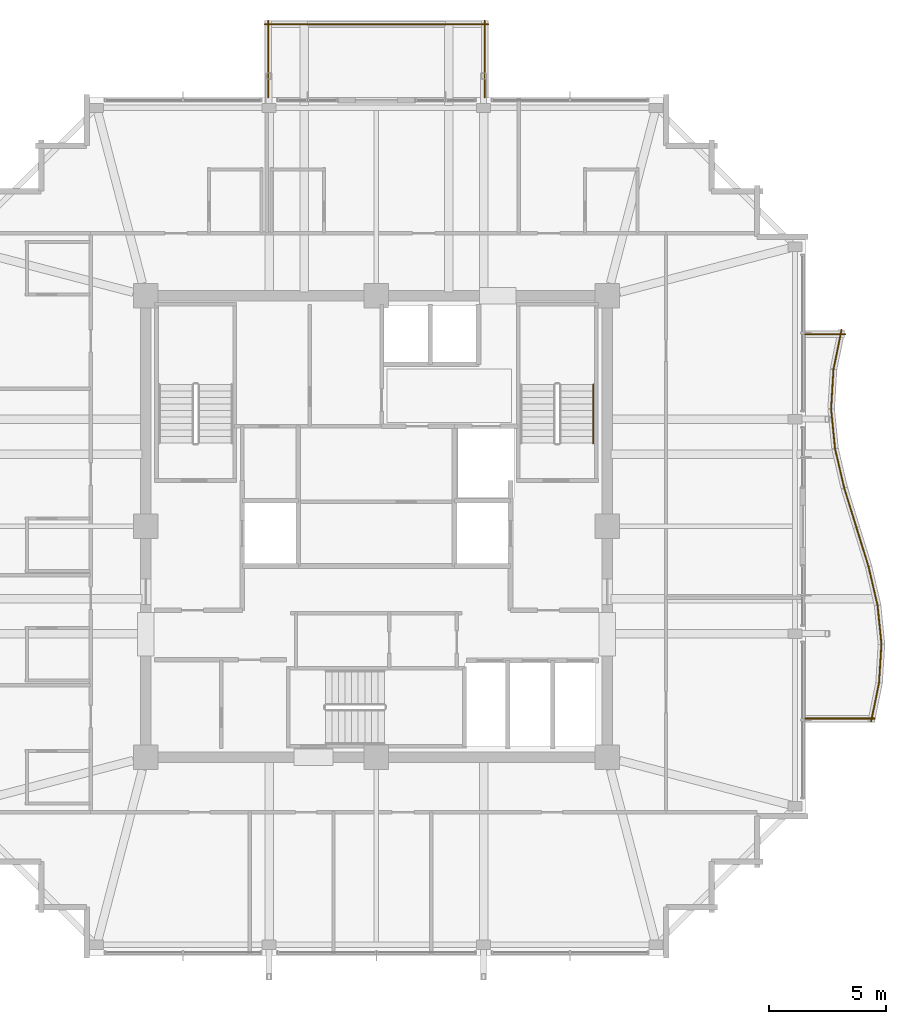
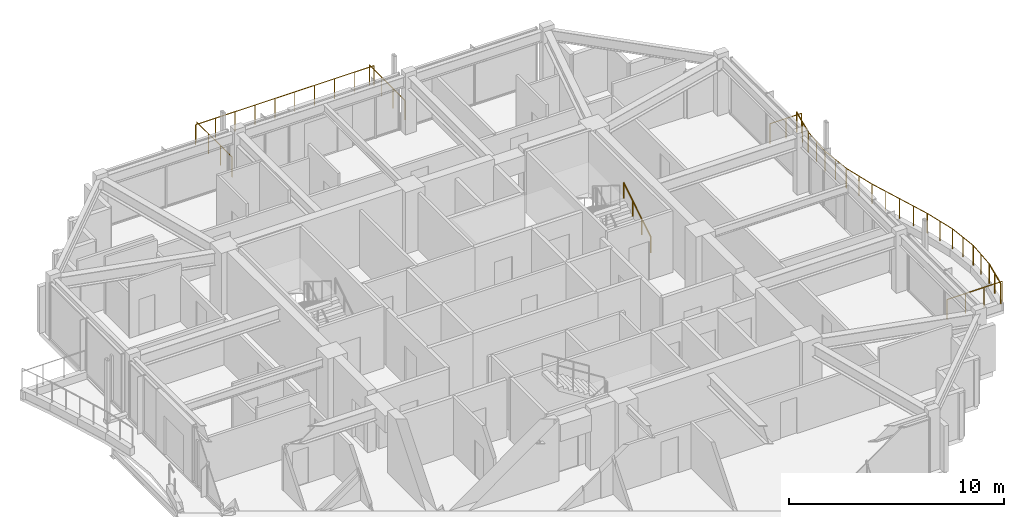
# One storey, part 31 of 31: 16 railings.
"""IFC4 building model written with IfcOpenShell, lengths in metres."""

from ifc_helpers import new_model, si_unit, direction, frame, origin, origin_2d, place, context, subcontext, project, spatial, circle, extrude, material, type_object, element, save


model = new_model("IFC4")

# Units and contexts
model_context = context("Model", 3, precision=1e-05, world=origin(), true_north=direction((0.0, 1.0)))
body_context = subcontext(model_context, "Body", "Model", "MODEL_VIEW")
ifc_project = project(units=[si_unit("LENGTHUNIT", "METRE"), si_unit("AREAUNIT", "SQUARE_METRE"), si_unit("VOLUMEUNIT", "CUBIC_METRE"), si_unit("PLANEANGLEUNIT", "RADIAN"), si_unit("MASSUNIT", "GRAM", prefix="KILO")], contexts=[model_context])

# Site, building, storey
site_placement = place(None, origin())
site = spatial("IfcSite", under=ifc_project, at=site_placement, CompositionType="ELEMENT")
building_placement = place(site_placement, origin())
building = spatial("IfcBuilding", under=site, at=building_placement, Name="Kolvaren Belvedere", CompositionType="ELEMENT")
storey_placement = place(building_placement, frame((0.0, 0.0, 251.39990234375)))
storey = spatial("IfcBuildingStorey", under=building, at=storey_placement, Name="L73", CompositionType="ELEMENT", Elevation=251.39990234375)

# Railings
ifc_material_1 = material(Name="Anodised pale-metal aluminium & laminated glass guard", Category="aluminium")
railing_type_1 = type_object("IfcRailingType", Name="RL-GUARD-1150", PredefinedType="GUARDRAIL", material=ifc_material_1)
railing_1_placement = place(storey_placement, frame((4.639892578125, 18.39990234375, 0.35009765625)))
element("IfcRailing", 1, at=railing_1_placement, inside=storey, type_object=railing_type_1, Name="L73 Exterior Deck Safety Guard SPIRAL-12-N-2", PredefinedType="GUARDRAIL", context=body_context, shape_type="SweptSolid", body=[
    extrude(circle(Radius=0.02392578125, at=origin_2d()), frame((0.0, 0.0, 1.1259765625), z_axis=(0.0, 1.0, 0.0), x_axis=(-1.0, 0.0, 0.0)), (0.0, 0.0, 1.0), 3.300048828125),
    extrude(circle(Radius=0.02099609375, at=origin_2d()), origin(), (0.0, 0.0, 1.0), 1.101806640625),
    extrude(circle(Radius=0.02099609375, at=origin_2d()), frame((0.0, 1.10009765625, 0.0)), (0.0, 0.0, 1.0), 1.101806640625),
    extrude(circle(Radius=0.02099609375, at=origin_2d()), frame((0.0, 2.199951171875, 0.0)), (0.0, 0.0, 1.0), 1.101806640625),
    extrude(circle(Radius=0.02099609375, at=origin_2d()), frame((0.0, 3.300048828125, 0.0)), (0.0, 0.0, 1.0), 1.101806640625),
])
railing_2_placement = place(storey_placement, frame((4.800048828125, 21.5400390625, 0.35009765625)))
element("IfcRailing", 2, at=railing_2_placement, inside=storey, type_object=railing_type_1, Name="L73 Exterior Deck Safety Guard SPIRAL-12-N-3", PredefinedType="GUARDRAIL", context=body_context, shape_type="SweptSolid", body=[
    extrude(circle(Radius=0.02392578125, at=origin_2d()), frame((0.0, 0.0, 1.1259765625), z_axis=(-1.0, 0.0, 0.0), x_axis=(0.0, -1.0, 0.0)), (0.0, 0.0, 1.0), 9.60009765625),
    extrude(circle(Radius=0.02099609375, at=origin_2d()), origin(), (0.0, 0.0, 1.0), 1.101806640625),
    extrude(circle(Radius=0.02099609375, at=origin_2d()), frame((-1.066650390625, 0.0, 0.0)), (0.0, 0.0, 1.0), 1.101806640625),
    extrude(circle(Radius=0.02099609375, at=origin_2d()), frame((-2.13330078125, 0.0, 0.0)), (0.0, 0.0, 1.0), 1.101806640625),
    extrude(circle(Radius=0.02099609375, at=origin_2d()), frame((-3.199951171875, 0.0, 0.0)), (0.0, 0.0, 1.0), 1.101806640625),
    extrude(circle(Radius=0.02099609375, at=origin_2d()), frame((-4.2666015625, 0.0, 0.0)), (0.0, 0.0, 1.0), 1.101806640625),
    extrude(circle(Radius=0.02099609375, at=origin_2d()), frame((-5.33349609375, 0.0, 0.0)), (0.0, 0.0, 1.0), 1.101806640625),
    extrude(circle(Radius=0.02099609375, at=origin_2d()), frame((-6.400146484375, 0.0, 0.0)), (0.0, 0.0, 1.0), 1.101806640625),
    extrude(circle(Radius=0.02099609375, at=origin_2d()), frame((-7.466796875, 0.0, 0.0)), (0.0, 0.0, 1.0), 1.101806640625),
    extrude(circle(Radius=0.02099609375, at=origin_2d()), frame((-8.533447265625, 0.0, 0.0)), (0.0, 0.0, 1.0), 1.101806640625),
    extrude(circle(Radius=0.02099609375, at=origin_2d()), frame((-9.60009765625, 0.0, 0.0)), (0.0, 0.0, 1.0), 1.101806640625),
])
railing_3_placement = place(storey_placement, frame((-4.639892578125, 21.699951171875, 0.35009765625)))
element("IfcRailing", 3, at=railing_3_placement, inside=storey, type_object=railing_type_1, Name="L73 Exterior Deck Safety Guard SPIRAL-12-N-4", PredefinedType="GUARDRAIL", context=body_context, shape_type="SweptSolid", body=[
    extrude(circle(Radius=0.02392578125, at=origin_2d()), frame((0.0, 0.0, 1.1259765625), z_axis=(0.0, -1.0, 0.0), x_axis=(1.0, 0.0, 0.0)), (0.0, 0.0, 1.0), 3.300048828125),
    extrude(circle(Radius=0.02099609375, at=origin_2d()), origin(), (0.0, 0.0, 1.0), 1.101806640625),
    extrude(circle(Radius=0.02099609375, at=origin_2d()), frame((0.0, -1.10009765625, 0.0)), (0.0, 0.0, 1.0), 1.101806640625),
    extrude(circle(Radius=0.02099609375, at=origin_2d()), frame((0.0, -2.199951171875, 0.0)), (0.0, 0.0, 1.0), 1.101806640625),
    extrude(circle(Radius=0.02099609375, at=origin_2d()), frame((0.0, -3.300048828125, 0.0)), (0.0, 0.0, 1.0), 1.101806640625),
])
railing_4_placement = place(storey_placement, frame((21.218017578125, -8.367919921875, 0.35009765625)))
element("IfcRailing", 4, at=railing_4_placement, inside=storey, type_object=railing_type_1, Name="L73 Exterior Deck Safety Guard BAL-E-1", PredefinedType="GUARDRAIL", context=body_context, shape_type="SweptSolid", body=[
    extrude(circle(Radius=0.02392578125, at=origin_2d()), frame((0.0, 0.0, 1.1259765625), z_axis=(0.199647526069, 0.979867779516, 0.0), x_axis=(-0.979867779516, 0.199647526069, 0.0)), (0.0, 0.0, 1.0), 1.71435546875),
    extrude(circle(Radius=0.02099609375, at=origin_2d()), origin(), (0.0, 0.0, 1.0), 1.101806640625),
    extrude(circle(Radius=0.02099609375, at=origin_2d()), frame((0.171142578125, 0.83984375, 0.0)), (0.0, 0.0, 1.0), 1.101806640625),
    extrude(circle(Radius=0.02099609375, at=origin_2d()), frame((0.34228515625, 1.679931640625, 0.0)), (0.0, 0.0, 1.0), 1.101806640625),
])
railing_5_placement = place(storey_placement, frame((21.5576171875, -6.710205078125, 0.35009765625)))
element("IfcRailing", 5, at=railing_5_placement, inside=storey, type_object=railing_type_1, Name="L73 Exterior Deck Safety Guard BAL-E-2", PredefinedType="GUARDRAIL", context=body_context, shape_type="SweptSolid", body=[
    extrude(circle(Radius=0.02392578125, at=origin_2d()), frame((0.0, 0.0, 1.1259765625), z_axis=(0.061068773295, 0.998133560666, 0.0), x_axis=(-0.998133560666, 0.061068773295, 0.0)), (0.0, 0.0, 1.0), 1.68310546875),
    extrude(circle(Radius=0.02099609375, at=origin_2d()), origin(), (0.0, 0.0, 1.0), 1.101806640625),
    extrude(circle(Radius=0.02099609375, at=origin_2d()), frame((0.05126953125, 0.83984375, 0.0)), (0.0, 0.0, 1.0), 1.101806640625),
    extrude(circle(Radius=0.02099609375, at=origin_2d()), frame((0.102783203125, 1.679931640625, 0.0)), (0.0, 0.0, 1.0), 1.101806640625),
])
railing_6_placement = place(storey_placement, frame((21.660888671875, -5.055908203125, 0.35009765625)))
element("IfcRailing", 6, at=railing_6_placement, inside=storey, type_object=railing_type_1, Name="L73 Exterior Deck Safety Guard BAL-E-3", PredefinedType="GUARDRAIL", context=body_context, shape_type="SweptSolid", body=[
    extrude(circle(Radius=0.02392578125, at=origin_2d()), frame((0.0, 0.0, 1.1259765625), z_axis=(-0.099632573776, 0.995024296308, 0.0), x_axis=(-0.995024296308, -0.099632573776, 0.0)), (0.0, 0.0, 1.0), 1.688232421875),
    extrude(circle(Radius=0.02099609375, at=origin_2d()), origin(), (0.0, 0.0, 1.0), 1.101806640625),
    extrude(circle(Radius=0.02099609375, at=origin_2d()), frame((-0.083984375, 0.83984375, 0.0)), (0.0, 0.0, 1.0), 1.101806640625),
    extrude(circle(Radius=0.02099609375, at=origin_2d()), frame((-0.168212890625, 1.679931640625, 0.0)), (0.0, 0.0, 1.0), 1.101806640625),
])
railing_7_placement = place(storey_placement, frame((21.49609375, -3.396240234375, 0.35009765625)))
element("IfcRailing", 7, at=railing_7_placement, inside=storey, type_object=railing_type_1, Name="L73 Exterior Deck Safety Guard BAL-E-4", PredefinedType="GUARDRAIL", context=body_context, shape_type="SweptSolid", body=[
    extrude(circle(Radius=0.02392578125, at=origin_2d()), frame((0.0, 0.0, 1.1259765625), z_axis=(-0.227019323824, 0.973890253884, 0.0), x_axis=(-0.973890253884, -0.227019323824, 0.0)), (0.0, 0.0, 1.0), 1.724853515625),
    extrude(circle(Radius=0.02099609375, at=origin_2d()), origin(), (0.0, 0.0, 1.0), 1.101806640625),
    extrude(circle(Radius=0.02099609375, at=origin_2d()), frame((-0.19580078125, 0.83984375, 0.0)), (0.0, 0.0, 1.0), 1.101806640625),
    extrude(circle(Radius=0.02099609375, at=origin_2d()), frame((-0.3916015625, 1.679931640625, 0.0)), (0.0, 0.0, 1.0), 1.101806640625),
])
railing_8_placement = place(storey_placement, frame((21.107421875, -1.727294921875, 0.35009765625)))
element("IfcRailing", 8, at=railing_8_placement, inside=storey, type_object=railing_type_1, Name="L73 Exterior Deck Safety Guard BAL-E-5", PredefinedType="GUARDRAIL", context=body_context, shape_type="SweptSolid", body=[
    extrude(circle(Radius=0.02392578125, at=origin_2d()), frame((0.0, 0.0, 1.1259765625), z_axis=(-0.295831524561, 0.95524013163, 0.0), x_axis=(-0.95524013163, -0.295831524561, 0.0)), (0.0, 0.0, 1.0), 1.758544921875),
    extrude(circle(Radius=0.02099609375, at=origin_2d()), origin(), (0.0, 0.0, 1.0), 1.101806640625),
    extrude(circle(Radius=0.02099609375, at=origin_2d()), frame((-0.26025390625, 0.83984375, 0.0)), (0.0, 0.0, 1.0), 1.101806640625),
    extrude(circle(Radius=0.02099609375, at=origin_2d()), frame((-0.520263671875, 1.679931640625, 0.0)), (0.0, 0.0, 1.0), 1.101806640625),
])
railing_9_placement = place(storey_placement, frame((20.587158203125, -0.04736328125, 0.35009765625)))
element("IfcRailing", 9, at=railing_9_placement, inside=storey, type_object=railing_type_1, Name="L73 Exterior Deck Safety Guard BAL-E-6", PredefinedType="GUARDRAIL", context=body_context, shape_type="SweptSolid", body=[
    extrude(circle(Radius=0.02392578125, at=origin_2d()), frame((0.0, 0.0, 1.1259765625), z_axis=(-0.29579229954, 0.955252278476, 0.0), x_axis=(-0.955252278476, -0.29579229954, 0.0)), (0.0, 0.0, 1.0), 1.7587890625),
    extrude(circle(Radius=0.02099609375, at=origin_2d()), origin(), (0.0, 0.0, 1.0), 1.101806640625),
    extrude(circle(Radius=0.02099609375, at=origin_2d()), frame((-0.26025390625, 0.840087890625, 0.0)), (0.0, 0.0, 1.0), 1.101806640625),
    extrude(circle(Radius=0.02099609375, at=origin_2d()), frame((-0.520263671875, 1.68017578125, 0.0)), (0.0, 0.0, 1.0), 1.101806640625),
])
railing_10_placement = place(storey_placement, frame((20.06396484375, 1.643798828125, 0.35009765625)))
element("IfcRailing", 10, at=railing_10_placement, inside=storey, type_object=railing_type_1, Name="L73 Exterior Deck Safety Guard BAL-E-7", PredefinedType="GUARDRAIL", context=body_context, shape_type="SweptSolid", body=[
    extrude(circle(Radius=0.02392578125, at=origin_2d()), frame((0.0, 0.0, 1.1259765625), z_axis=(-0.227019323824, 0.973890253884, 0.0), x_axis=(-0.973890253884, -0.227019323824, 0.0)), (0.0, 0.0, 1.0), 1.724853515625),
    extrude(circle(Radius=0.02099609375, at=origin_2d()), origin(), (0.0, 0.0, 1.0), 1.101806640625),
    extrude(circle(Radius=0.02099609375, at=origin_2d()), frame((-0.19580078125, 0.83984375, 0.0)), (0.0, 0.0, 1.0), 1.101806640625),
    extrude(circle(Radius=0.02099609375, at=origin_2d()), frame((-0.3916015625, 1.679931640625, 0.0)), (0.0, 0.0, 1.0), 1.101806640625),
])
railing_11_placement = place(storey_placement, frame((19.6689453125, 3.34423828125, 0.35009765625)))
element("IfcRailing", 11, at=railing_11_placement, inside=storey, type_object=railing_type_1, Name="L73 Exterior Deck Safety Guard BAL-E-8", PredefinedType="GUARDRAIL", context=body_context, shape_type="SweptSolid", body=[
    extrude(circle(Radius=0.02392578125, at=origin_2d()), frame((0.0, 0.0, 1.1259765625), z_axis=(-0.098329649867, 0.995153897624, 0.0), x_axis=(-0.995153897624, -0.098329649867, 0.0)), (0.0, 0.0, 1.0), 1.6884765625),
    extrude(circle(Radius=0.02099609375, at=origin_2d()), origin(), (0.0, 0.0, 1.0), 1.101806640625),
    extrude(circle(Radius=0.02099609375, at=origin_2d()), frame((-0.0830078125, 0.840087890625, 0.0)), (0.0, 0.0, 1.0), 1.101806640625),
    extrude(circle(Radius=0.02099609375, at=origin_2d()), frame((-0.166015625, 1.68017578125, 0.0)), (0.0, 0.0, 1.0), 1.101806640625),
])
railing_12_placement = place(storey_placement, frame((19.50244140625, 5.049560546875, 0.35009765625)))
element("IfcRailing", 12, at=railing_12_placement, inside=storey, type_object=railing_type_1, Name="L73 Exterior Deck Safety Guard BAL-E-9", PredefinedType="GUARDRAIL", context=body_context, shape_type="SweptSolid", body=[
    extrude(circle(Radius=0.02392578125, at=origin_2d()), frame((0.0, 0.0, 1.1259765625), z_axis=(0.059767979379, 0.998212296378, 0.0), x_axis=(-0.998212296378, 0.059767979379, 0.0)), (0.0, 0.0, 1.0), 1.682861328125),
    extrude(circle(Radius=0.02099609375, at=origin_2d()), origin(), (0.0, 0.0, 1.0), 1.101806640625),
    extrude(circle(Radius=0.02099609375, at=origin_2d()), frame((0.05029296875, 0.83984375, 0.0)), (0.0, 0.0, 1.0), 1.101806640625),
    extrude(circle(Radius=0.02099609375, at=origin_2d()), frame((0.1005859375, 1.679931640625, 0.0)), (0.0, 0.0, 1.0), 1.101806640625),
])
railing_13_placement = place(storey_placement, frame((19.60595703125, 6.751953125, 0.35009765625)))
element("IfcRailing", 13, at=railing_13_placement, inside=storey, type_object=railing_type_1, Name="L73 Exterior Deck Safety Guard BAL-E-10", PredefinedType="GUARDRAIL", context=body_context, shape_type="SweptSolid", body=[
    extrude(circle(Radius=0.02392578125, at=origin_2d()), frame((0.0, 0.0, 1.1259765625), z_axis=(0.199784246163, 0.979839912937, 0.0), x_axis=(-0.979839912937, 0.199784246163, 0.0)), (0.0, 0.0, 1.0), 1.714599609375),
    extrude(circle(Radius=0.02099609375, at=origin_2d()), origin(), (0.0, 0.0, 1.0), 1.101806640625),
    extrude(circle(Radius=0.02099609375, at=origin_2d()), frame((0.17138671875, 0.83984375, 0.0)), (0.0, 0.0, 1.0), 1.101806640625),
    extrude(circle(Radius=0.02099609375, at=origin_2d()), frame((0.342529296875, 1.679931640625, 0.0)), (0.0, 0.0, 1.0), 1.101806640625),
])
railing_14_placement = place(storey_placement, frame((20.105224609375, 8.239990234375, 0.35009765625)))
element("IfcRailing", 14, at=railing_14_placement, inside=storey, type_object=railing_type_1, Name="L73 Exterior Deck Safety Guard BAL-E-11", PredefinedType="GUARDRAIL", context=body_context, shape_type="SweptSolid", body=[
    extrude(circle(Radius=0.02392578125, at=origin_2d()), frame((0.0, 0.0, 1.1259765625), z_axis=(-1.0, 0.0, 0.0), x_axis=(0.0, -1.0, 0.0)), (0.0, 0.0, 1.0), 1.705322265625),
    extrude(circle(Radius=0.02099609375, at=origin_2d()), origin(), (0.0, 0.0, 1.0), 1.101806640625),
    extrude(circle(Radius=0.02099609375, at=origin_2d()), frame((-0.8525390625, 0.0, 0.0)), (0.0, 0.0, 1.0), 1.101806640625),
    extrude(circle(Radius=0.02099609375, at=origin_2d()), frame((-1.705322265625, 0.0, 0.0)), (0.0, 0.0, 1.0), 1.101806640625),
])
railing_15_placement = place(storey_placement, frame((18.39990234375, -8.239990234375, 0.35009765625)))
element("IfcRailing", 15, at=railing_15_placement, inside=storey, type_object=railing_type_1, Name="L73 Exterior Deck Safety Guard BAL-E-22", PredefinedType="GUARDRAIL", context=body_context, shape_type="SweptSolid", body=[
    extrude(circle(Radius=0.02392578125, at=origin_2d()), frame((0.0, 0.0, 1.1259765625), z_axis=(1.0, 0.0, 0.0), x_axis=(0.0, 1.0, 0.0)), (0.0, 0.0, 1.0), 2.974853515625),
    extrude(circle(Radius=0.02099609375, at=origin_2d()), origin(), (0.0, 0.0, 1.0), 1.101806640625),
    extrude(circle(Radius=0.02099609375, at=origin_2d()), frame((0.99169921875, 0.0, 0.0)), (0.0, 0.0, 1.0), 1.101806640625),
    extrude(circle(Radius=0.02099609375, at=origin_2d()), frame((1.983154296875, 0.0, 0.0)), (0.0, 0.0, 1.0), 1.101806640625),
    extrude(circle(Radius=0.02099609375, at=origin_2d()), frame((2.974853515625, 0.0, 0.0)), (0.0, 0.0, 1.0), 1.101806640625),
])
ifc_material_2 = material(Name="Brushed stainless-steel handrail", Category="steel")
railing_type_2 = type_object("IfcRailingType", Name="RL-HANDRAIL-920", PredefinedType="HANDRAIL", material=ifc_material_2)
railing_16_placement = place(storey_placement, frame((9.300048828125, 3.570068359375, 0.175048828125)))
element("IfcRailing", 16, at=railing_16_placement, inside=storey, type_object=railing_type_2, Name="L73 ST-2 stair handrail 1", PredefinedType="HANDRAIL", context=body_context, shape_type="SweptSolid", body=[
    extrude(circle(Radius=0.02392578125, at=origin_2d()), frame((0.0, 0.0, 0.8759765625), z_axis=(0.0, 0.848007534815, 0.529984170421), x_axis=(-1.0, 0.0, 0.0)), (0.0, 0.0, 1.0), 2.9716796875),
    extrude(circle(Radius=0.02099609375, at=origin_2d()), origin(), (0.0, 0.0, 1.0), 0.851806640625),
    extrude(circle(Radius=0.02099609375, at=origin_2d()), frame((0.0, 0.840087890625, 0.52490234375)), (0.0, 0.0, 1.0), 0.851806640625),
    extrude(circle(Radius=0.02099609375, at=origin_2d()), frame((0.0, 1.679931640625, 1.050048828125)), (0.0, 0.0, 1.0), 0.851806640625),
    extrude(circle(Radius=0.02099609375, at=origin_2d()), frame((0.0, 2.52001953125, 1.574951171875)), (0.0, 0.0, 1.0), 0.851806640625),
])

save(model, "model.ifc")
